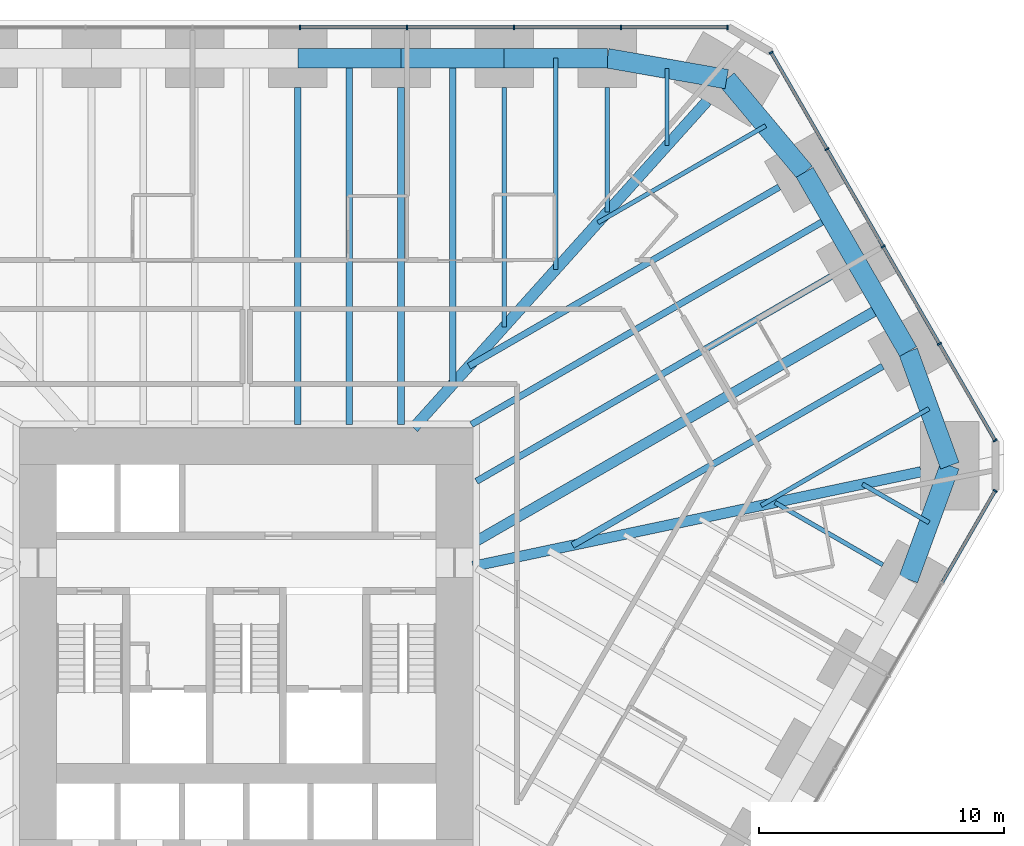
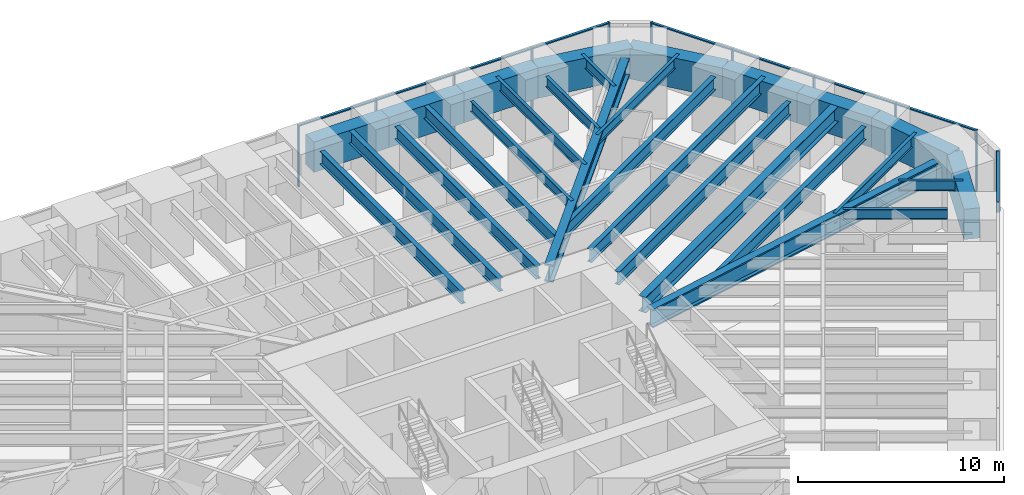
# One storey, part 9 of 17: 28 beams, 20 members, 3 elements without a shape of their own.
"""IFC4 building model written with IfcOpenShell, lengths in metres."""

from ifc_helpers import new_model, si_unit, direction, frame, origin, origin_2d, place, context, subcontext, project, spatial, rectangle, i_section, extrude, material, material_profile, profile_set, type_object, element, aggregate, save


model = new_model("IFC4")

# Units and contexts
model_context = context("Model", 3, precision=1e-05, world=origin(), true_north=direction((0.0, 1.0)))
body_context = subcontext(model_context, "Body", "Model", "MODEL_VIEW")
ifc_project = project(units=[si_unit("LENGTHUNIT", "METRE"), si_unit("AREAUNIT", "SQUARE_METRE"), si_unit("VOLUMEUNIT", "CUBIC_METRE"), si_unit("PLANEANGLEUNIT", "RADIAN"), si_unit("MASSUNIT", "GRAM", prefix="KILO")], contexts=[model_context])

# Site, building, storey
site_placement = place(None, origin())
site = spatial("IfcSite", under=ifc_project, at=site_placement, CompositionType="ELEMENT")
building_placement = place(site_placement, origin())
building = spatial("IfcBuilding", under=site, at=building_placement, Name="Sandreach Pilgrim Tower", CompositionType="ELEMENT")
storey_placement = place(building_placement, frame((0.0, 0.0, 34.39990234375)))
storey = spatial("IfcBuildingStorey", under=building, at=storey_placement, Name="L07", CompositionType="ELEMENT", Elevation=34.39990234375)

# Curtain wall, members
ifc_material_1 = material(Name="Aluminium framed curtain wall", Category="aluminium")
curtain_wall_type = type_object("IfcCurtainWallType", Name="Hostel tower curtain wall", PredefinedType="NOTDEFINED", material=ifc_material_1)
curtain_wall_1_placement = place(storey_placement, origin())
curtain_wall_1 = element("IfcCurtainWall", 1, at=curtain_wall_1_placement, inside=storey, type_object=curtain_wall_type, Name="CW-1 L07 N", PredefinedType="NOTDEFINED")
ifc_material_2 = material(Name="Aluminium extrusion", Category="aluminium")
ifc_material_profile_1 = material_profile(ifc_material_2, rectangle(XDim=0.06494140625, YDim=0.179931640625, at=origin_2d()), Name="CW-1M 65X180")
ifc_profile_set_1 = profile_set([ifc_material_profile_1], Name="Aluminium extrusion")
member_type_1 = type_object("IfcMemberType", Name="CW-1 mullion", PredefinedType="MULLION", material=ifc_profile_set_1)
member_1_placement = place(storey_placement, frame((2.185791015625, 23.94873046875, 0.0), z_axis=(0.0, 0.0, 1.0), x_axis=(1.0, 0.0, 0.0)))
member_1 = element("IfcMember", 2, at=member_1_placement, type_object=member_type_1, Name="CW-1 mullion 6", PredefinedType="MULLION", context=body_context, shape_type="SweptSolid", body=[
    extrude(rectangle(XDim=0.06494140625, YDim=0.179931640625, at=origin_2d()), origin(), (0.0, 0.0, 1.0), 3.64013671875),
])
member_2_placement = place(storey_placement, frame((6.557373046875, 23.94873046875, 0.0), z_axis=(0.0, 0.0, 1.0), x_axis=(1.0, 0.0, 0.0)))
member_2 = element("IfcMember", 3, at=member_2_placement, type_object=member_type_1, Name="CW-1 mullion 7", PredefinedType="MULLION", context=body_context, shape_type="SweptSolid", body=[
    extrude(rectangle(XDim=0.06494140625, YDim=0.179931640625, at=origin_2d()), origin(), (0.0, 0.0, 1.0), 3.64013671875),
])
member_3_placement = place(storey_placement, frame((10.928955078125, 23.94873046875, 0.0), z_axis=(0.0, 0.0, 1.0), x_axis=(1.0, 0.0, 0.0)))
member_3 = element("IfcMember", 4, at=member_3_placement, type_object=member_type_1, Name="CW-1 mullion 8", PredefinedType="MULLION", context=body_context, shape_type="SweptSolid", body=[
    extrude(rectangle(XDim=0.06494140625, YDim=0.179931640625, at=origin_2d()), origin(), (0.0, 0.0, 1.0), 3.64013671875),
])
member_4_placement = place(storey_placement, frame((15.300537109375, 23.94873046875, 0.0), z_axis=(0.0, 0.0, 1.0), x_axis=(1.0, 0.0, 0.0)))
member_4 = element("IfcMember", 5, at=member_4_placement, type_object=member_type_1, Name="CW-1 mullion 9", PredefinedType="MULLION", context=body_context, shape_type="SweptSolid", body=[
    extrude(rectangle(XDim=0.06494140625, YDim=0.179931640625, at=origin_2d()), origin(), (0.0, 0.0, 1.0), 3.64013671875),
])
member_5_placement = place(storey_placement, frame((19.6396484375, 23.94873046875, 0.0), z_axis=(0.0, 0.0, 1.0), x_axis=(1.0, 0.0, 0.0)))
member_5 = element("IfcMember", 6, at=member_5_placement, type_object=member_type_1, Name="CW-1 mullion 10", PredefinedType="MULLION", context=body_context, shape_type="SweptSolid", body=[
    extrude(rectangle(XDim=0.06494140625, YDim=0.179931640625, at=origin_2d()), origin(), (0.0, 0.0, 1.0), 3.64013671875),
])

curtain_wall_2_placement = place(storey_placement, origin())
curtain_wall_2 = element("IfcCurtainWall", 7, at=curtain_wall_2_placement, inside=storey, type_object=curtain_wall_type, Name="CW-1 L07 NE", PredefinedType="NOTDEFINED")
member_6_placement = place(storey_placement, frame((21.42041015625, 22.920654296875, 0.0), z_axis=(0.0, 0.0, 1.0), x_axis=(0.5, -0.866025403784, 0.0)))
member_6 = element("IfcMember", 8, at=member_6_placement, type_object=member_type_1, Name="CW-1 mullion 1", PredefinedType="MULLION", context=body_context, shape_type="SweptSolid", body=[
    extrude(rectangle(XDim=0.06494140625, YDim=0.179931640625, at=origin_2d()), origin(), (0.0, 0.0, 1.0), 3.64013671875),
])
member_7_placement = place(storey_placement, frame((23.697265625, 18.97705078125, 0.0), z_axis=(0.0, 0.0, 1.0), x_axis=(0.5, -0.866025403784, 0.0)))
member_7 = element("IfcMember", 9, at=member_7_placement, type_object=member_type_1, Name="CW-1 mullion 2", PredefinedType="MULLION", context=body_context, shape_type="SweptSolid", body=[
    extrude(rectangle(XDim=0.06494140625, YDim=0.179931640625, at=origin_2d()), origin(), (0.0, 0.0, 1.0), 3.64013671875),
])
member_8_placement = place(storey_placement, frame((25.990234375, 15.00537109375, 0.0), z_axis=(0.0, 0.0, 1.0), x_axis=(0.5, -0.866025403784, 0.0)))
member_8 = element("IfcMember", 10, at=member_8_placement, type_object=member_type_1, Name="CW-1 mullion 3", PredefinedType="MULLION", context=body_context, shape_type="SweptSolid", body=[
    extrude(rectangle(XDim=0.06494140625, YDim=0.179931640625, at=origin_2d()), origin(), (0.0, 0.0, 1.0), 3.64013671875),
])
member_9_placement = place(storey_placement, frame((28.283203125, 11.03369140625, 0.0), z_axis=(0.0, 0.0, 1.0), x_axis=(0.5, -0.866025403784, 0.0)))
member_9 = element("IfcMember", 11, at=member_9_placement, type_object=member_type_1, Name="CW-1 mullion 4", PredefinedType="MULLION", context=body_context, shape_type="SweptSolid", body=[
    extrude(rectangle(XDim=0.06494140625, YDim=0.179931640625, at=origin_2d()), origin(), (0.0, 0.0, 1.0), 3.64013671875),
])
member_10_placement = place(storey_placement, frame((30.56005859375, 7.09033203125, 0.0), z_axis=(0.0, 0.0, 1.0), x_axis=(0.5, -0.866025403784, 0.0)))
member_10 = element("IfcMember", 12, at=member_10_placement, type_object=member_type_1, Name="CW-1 mullion 5", PredefinedType="MULLION", context=body_context, shape_type="SweptSolid", body=[
    extrude(rectangle(XDim=0.06494140625, YDim=0.179931640625, at=origin_2d()), origin(), (0.0, 0.0, 1.0), 3.64013671875),
])

# Curtain wall, member
curtain_wall_3_placement = place(storey_placement, origin())
curtain_wall_3 = element("IfcCurtainWall", 13, at=curtain_wall_3_placement, inside=storey, type_object=curtain_wall_type, Name="CW-1 L07 SE", PredefinedType="NOTDEFINED")
member_11_placement = place(storey_placement, frame((30.56005859375, 5.033935546875, 0.0), z_axis=(0.0, 0.0, 1.0), x_axis=(-0.5, -0.866025403784, 0.0)))
member_11 = element("IfcMember", 14, at=member_11_placement, type_object=member_type_1, Name="CW-1 mullion 1", PredefinedType="MULLION", context=body_context, shape_type="SweptSolid", body=[
    extrude(rectangle(XDim=0.06494140625, YDim=0.179931640625, at=origin_2d()), origin(), (0.0, 0.0, 1.0), 3.64013671875),
])

# Member
ifc_material_3 = material(Name="Aluminium extrusion", Category="aluminium")
ifc_material_profile_2 = material_profile(ifc_material_3, rectangle(XDim=0.139892578125, YDim=0.070068359375, at=origin_2d()), Name="CW-1T 140X70")
ifc_profile_set_2 = profile_set([ifc_material_profile_2], Name="Aluminium extrusion")
member_type_2 = type_object("IfcMemberType", Name="CW-1 transom", PredefinedType="USERDEFINED", material=ifc_profile_set_2)
member_12_placement = place(storey_placement, frame((2.21826171875, 23.94873046875, 3.60498046875), z_axis=(1.0, 0.0, 0.0), x_axis=(0.0, 1.0, 0.0)))
member_12 = element("IfcMember", 15, at=member_12_placement, type_object=member_type_2, Name="CW-1 head transom 6", ObjectType="TRANSOM", PredefinedType="USERDEFINED", context=body_context, shape_type="SweptSolid", body=[
    extrude(rectangle(XDim=0.139892578125, YDim=0.070068359375, at=origin_2d()), origin(), (0.0, 0.0, 1.0), 4.306640625),
])

member_13_placement = place(storey_placement, frame((6.58984375, 23.94873046875, 3.60498046875), z_axis=(1.0, 0.0, 0.0), x_axis=(0.0, 1.0, 0.0)))
member_13 = element("IfcMember", 16, at=member_13_placement, type_object=member_type_2, Name="CW-1 head transom 7", ObjectType="TRANSOM", PredefinedType="USERDEFINED", context=body_context, shape_type="SweptSolid", body=[
    extrude(rectangle(XDim=0.139892578125, YDim=0.070068359375, at=origin_2d()), origin(), (0.0, 0.0, 1.0), 4.306640625),
])

member_14_placement = place(storey_placement, frame((10.96142578125, 23.94873046875, 3.60498046875), z_axis=(1.0, 0.0, 0.0), x_axis=(0.0, 1.0, 0.0)))
member_14 = element("IfcMember", 17, at=member_14_placement, type_object=member_type_2, Name="CW-1 head transom 8", ObjectType="TRANSOM", PredefinedType="USERDEFINED", context=body_context, shape_type="SweptSolid", body=[
    extrude(rectangle(XDim=0.139892578125, YDim=0.070068359375, at=origin_2d()), origin(), (0.0, 0.0, 1.0), 4.306640625),
])

member_15_placement = place(storey_placement, frame((15.3330078125, 23.94873046875, 3.60498046875), z_axis=(1.0, 0.0, 0.0), x_axis=(0.0, 1.0, 0.0)))
member_15 = element("IfcMember", 18, at=member_15_placement, type_object=member_type_2, Name="CW-1 head transom 9", ObjectType="TRANSOM", PredefinedType="USERDEFINED", context=body_context, shape_type="SweptSolid", body=[
    extrude(rectangle(XDim=0.139892578125, YDim=0.070068359375, at=origin_2d()), origin(), (0.0, 0.0, 1.0), 4.274169921875),
])

aggregate(curtain_wall_1, [member_1, member_2, member_3, member_4, member_5, member_12, member_13, member_14, member_15])

member_16_placement = place(storey_placement, frame((21.4365234375, 22.892333984375, 3.60498046875), z_axis=(0.500017500808, -0.866015299452, 0.0), x_axis=(0.866015299452, 0.500017500808, 0.0)))
member_16 = element("IfcMember", 19, at=member_16_placement, type_object=member_type_2, Name="CW-1 head transom 1", ObjectType="TRANSOM", PredefinedType="USERDEFINED", context=body_context, shape_type="SweptSolid", body=[
    extrude(rectangle(XDim=0.139892578125, YDim=0.070068359375, at=origin_2d()), origin(), (0.0, 0.0, 1.0), 4.488525390625),
])

member_17_placement = place(storey_placement, frame((23.71337890625, 18.948974609375, 3.60498046875), z_axis=(0.500001366228, -0.866024614991, 0.0), x_axis=(0.866024614991, 0.500001366228, 0.0)))
member_17 = element("IfcMember", 20, at=member_17_placement, type_object=member_type_2, Name="CW-1 head transom 2", ObjectType="TRANSOM", PredefinedType="USERDEFINED", context=body_context, shape_type="SweptSolid", body=[
    extrude(rectangle(XDim=0.139892578125, YDim=0.070068359375, at=origin_2d()), origin(), (0.0, 0.0, 1.0), 4.52099609375),
])

member_18_placement = place(storey_placement, frame((26.00634765625, 14.977294921875, 3.60498046875), z_axis=(0.500001366228, -0.866024614991, 0.0), x_axis=(0.866024614991, 0.500001366228, 0.0)))
member_18 = element("IfcMember", 21, at=member_18_placement, type_object=member_type_2, Name="CW-1 head transom 3", ObjectType="TRANSOM", PredefinedType="USERDEFINED", context=body_context, shape_type="SweptSolid", body=[
    extrude(rectangle(XDim=0.139892578125, YDim=0.070068359375, at=origin_2d()), origin(), (0.0, 0.0, 1.0), 4.52099609375),
])

member_19_placement = place(storey_placement, frame((28.299560546875, 11.005615234375, 3.60498046875), z_axis=(0.499976706761, -0.866038851724, 0.0), x_axis=(0.866038851724, 0.499976706761, 0.0)))
member_19 = element("IfcMember", 22, at=member_19_placement, type_object=member_type_2, Name="CW-1 head transom 4", ObjectType="TRANSOM", PredefinedType="USERDEFINED", context=body_context, shape_type="SweptSolid", body=[
    extrude(rectangle(XDim=0.139892578125, YDim=0.070068359375, at=origin_2d()), origin(), (0.0, 0.0, 1.0), 4.488525390625),
])

aggregate(curtain_wall_2, [member_6, member_7, member_8, member_9, member_10, member_16, member_17, member_18, member_19])

member_20_placement = place(storey_placement, frame((30.543701171875, 5.005859375, 3.60498046875), z_axis=(-0.499991113271, -0.866030534479, 0.0), x_axis=(0.866030534479, -0.499991113271, 0.0)))
member_20 = element("IfcMember", 23, at=member_20_placement, type_object=member_type_2, Name="CW-1 head transom 1", ObjectType="TRANSOM", PredefinedType="USERDEFINED", context=body_context, shape_type="SweptSolid", body=[
    extrude(rectangle(XDim=0.139892578125, YDim=0.070068359375, at=origin_2d()), origin(), (0.0, 0.0, 1.0), 4.27392578125),
])

aggregate(curtain_wall_3, [member_11, member_20])

# Beams
ifc_material_4 = material(Name="Steel ASTM A992 Grade 50", Category="steel")
ifc_material_profile_3 = material_profile(ifc_material_4, i_section(OverallWidth=0.447021484375, OverallDepth=1.0439453125, WebThickness=0.050048828125, FlangeThickness=0.08984375, at=origin_2d()), Name="W36X652")
ifc_profile_set_3 = profile_set([ifc_material_profile_3], Name="Steel ASTM A992 Grade 50")
beam_type_1 = type_object("IfcBeamType", Name="Corner girder W36X652", PredefinedType="BEAM", material=ifc_profile_set_3)
beam_1_placement = place(storey_placement, frame((18.8046875, 20.94189453125, 3.1181640625), z_axis=(-0.668127834846, -0.74404650144, 0.0), x_axis=(0.74404650144, -0.668127834846, 0.0)))
element("IfcBeam", 24, at=beam_1_placement, inside=storey, type_object=beam_type_1, Name="BM L07 CG09", PredefinedType="BEAM", context=body_context, shape_type="SweptSolid", body=[
    extrude(i_section(OverallWidth=0.447021484375, OverallDepth=1.0439453125, WebThickness=0.050048828125, FlangeThickness=0.08984375, at=origin_2d()), origin(), (0.0, 0.0, 1.0), 17.931396484375),
])
ifc_material_5 = material(Name="Steel ASTM A992 Grade 50", Category="steel")
ifc_material_profile_4 = material_profile(ifc_material_5, i_section(OverallWidth=0.424072265625, OverallDepth=1.09228515625, WebThickness=0.04541015625, FlangeThickness=0.08203125, at=origin_2d()), Name="W40X593")
ifc_profile_set_4 = profile_set([ifc_material_profile_4], Name="Steel ASTM A992 Grade 50")
beam_type_2 = type_object("IfcBeamType", Name="Corner girder W40X593", PredefinedType="BEAM", material=ifc_profile_set_4)
beam_2_placement = place(storey_placement, frame((27.53857421875, 5.814208984375, 3.093994140625), z_axis=(-0.978429884383, -0.206579189045, 0.0), x_axis=(0.206579189045, -0.978429884383, 0.0)))
element("IfcBeam", 25, at=beam_2_placement, inside=storey, type_object=beam_type_2, Name="BM L07 CG13", PredefinedType="BEAM", context=body_context, shape_type="SweptSolid", body=[
    extrude(i_section(OverallWidth=0.424072265625, OverallDepth=1.09228515625, WebThickness=0.04541015625, FlangeThickness=0.08203125, at=origin_2d()), origin(), (0.0, 0.0, 1.0), 18.691650390625),
])
ifc_material_6 = material(Name="Steel ASTM A992 Grade 50", Category="steel")
ifc_material_profile_5 = material_profile(ifc_material_6, i_section(OverallWidth=0.1787109375, OverallDepth=0.60205078125, WebThickness=0.010986328125, FlangeThickness=0.014892578125, at=origin_2d()), Name="W24X62")
ifc_profile_set_5 = profile_set([ifc_material_profile_5], Name="Steel ASTM A992 Grade 50")
beam_type_3 = type_object("IfcBeamType", Name="Floor beam W24X62", PredefinedType="BEAM", material=ifc_profile_set_5)
beam_3_placement = place(storey_placement, frame((10.52490234375, 21.48876953125, 3.339111328125), z_axis=(0.0, -1.0, 0.0), x_axis=(1.0, 0.0, 0.0)))
element("IfcBeam", 26, at=beam_3_placement, inside=storey, type_object=beam_type_3, Name="BM L07 F07", PredefinedType="BEAM", context=body_context, shape_type="SweptSolid", body=[
    extrude(i_section(OverallWidth=0.1787109375, OverallDepth=0.60205078125, WebThickness=0.010986328125, FlangeThickness=0.014892578125, at=origin_2d()), origin(), (0.0, 0.0, 1.0), 9.767822265625),
])
beam_4_placement = place(storey_placement, frame((14.734619140625, 21.48876953125, 3.339111328125), z_axis=(0.0, -1.0, 0.0), x_axis=(1.0, 0.0, 0.0)))
element("IfcBeam", 27, at=beam_4_placement, inside=storey, type_object=beam_type_3, Name="BM L07 F08", PredefinedType="BEAM", context=body_context, shape_type="SweptSolid", body=[
    extrude(i_section(OverallWidth=0.1787109375, OverallDepth=0.60205078125, WebThickness=0.010986328125, FlangeThickness=0.014892578125, at=origin_2d()), origin(), (0.0, 0.0, 1.0), 5.079345703125),
])
beam_5_placement = place(storey_placement, frame((25.97705078125, 2.016357421875, 3.339111328125), z_axis=(-0.866027897259, 0.49999568115, 0.0), x_axis=(-0.49999568115, -0.866027897259, 0.0)))
element("IfcBeam", 28, at=beam_5_placement, inside=storey, type_object=beam_type_3, Name="BM L07 F14", PredefinedType="BEAM", context=body_context, shape_type="SweptSolid", body=[
    extrude(i_section(OverallWidth=0.1787109375, OverallDepth=0.60205078125, WebThickness=0.010986328125, FlangeThickness=0.014892578125, at=origin_2d()), origin(), (0.0, 0.0, 1.0), 5.0791015625),
])
beam_6_placement = place(storey_placement, frame((12.629638671875, 22.688720703125, 3.339111328125), z_axis=(0.0, -1.0, 0.0), x_axis=(1.0, 0.0, 0.0)))
element("IfcBeam", 29, at=beam_6_placement, inside=storey, type_object=beam_type_3, Name="BM L07 FM07", PredefinedType="BEAM", context=body_context, shape_type="SweptSolid", body=[
    extrude(i_section(OverallWidth=0.1787109375, OverallDepth=0.60205078125, WebThickness=0.010986328125, FlangeThickness=0.014892578125, at=origin_2d()), origin(), (0.0, 0.0, 1.0), 8.62353515625),
])
beam_7_placement = place(storey_placement, frame((17.17041015625, 22.26171875, 3.339111328125), z_axis=(0.0, -1.0, 0.0), x_axis=(1.0, 0.0, 0.0)))
element("IfcBeam", 30, at=beam_7_placement, inside=storey, type_object=beam_type_3, Name="BM L07 FM08", PredefinedType="BEAM", context=body_context, shape_type="SweptSolid", body=[
    extrude(i_section(OverallWidth=0.1787109375, OverallDepth=0.60205078125, WebThickness=0.010986328125, FlangeThickness=0.014892578125, at=origin_2d()), origin(), (0.0, 0.0, 1.0), 3.1396484375),
])
for number, where, z_axis, x_axis, name in (
    (31, (21.197021484375, 19.933349609375, 3.339111328125), (-0.866028778003, -0.499994155636, 0.0), (0.499994155636, -0.866028778003, 0.0), "BM L07 FM09"),
    (32, (27.861328125, 8.390380859375, 3.339111328125), (-0.866028778003, -0.499994155636, 0.0), (0.499994155636, -0.866028778003, 0.0), "BM L07 FM12"),
):
    element("IfcBeam", number, at=place(storey_placement, frame(where, z_axis=z_axis, x_axis=x_axis)), inside=storey, type_object=beam_type_3, Name=name, PredefinedType="BEAM", context=body_context, shape_type="SweptSolid", body=[
        extrude(i_section(OverallWidth=0.1787109375, OverallDepth=0.60205078125, WebThickness=0.010986328125, FlangeThickness=0.014892578125, at=origin_2d()), origin(), (0.0, 0.0, 1.0), 7.90771484375),
    ])
beam_8_placement = place(storey_placement, frame((27.864501953125, 3.7392578125, 3.339111328125), z_axis=(-0.866023718453, 0.500002919068, 0.0), x_axis=(-0.500002919068, -0.866023718453, 0.0)))
element("IfcBeam", 33, at=beam_8_placement, inside=storey, type_object=beam_type_3, Name="BM L07 FM13", PredefinedType="BEAM", context=body_context, shape_type="SweptSolid", body=[
    extrude(i_section(OverallWidth=0.1787109375, OverallDepth=0.60205078125, WebThickness=0.010986328125, FlangeThickness=0.014892578125, at=origin_2d()), origin(), (0.0, 0.0, 1.0), 3.1396484375),
])
ifc_material_7 = material(Name="Steel ASTM A992 Grade 50", Category="steel")
ifc_material_profile_6 = material_profile(ifc_material_7, i_section(OverallWidth=0.2666015625, OverallDepth=0.761962890625, WebThickness=0.014404296875, FlangeThickness=0.021484375, at=origin_2d()), Name="W30X116")
ifc_profile_set_6 = profile_set([ifc_material_profile_6], Name="Steel ASTM A992 Grade 50")
beam_type_4 = type_object("IfcBeamType", Name="Floor beam W30X116", PredefinedType="BEAM", material=ifc_profile_set_6)
for number, where, z_axis, x_axis, name in (
    (34, (2.10498046875, 21.48876953125, 3.259033203125), (0.0, -1.0, 0.0), (1.0, 0.0, 0.0), "BM L07 F05"),
    (35, (6.31494140625, 21.48876953125, 3.259033203125), (0.0, -1.0, 0.0), (1.0, 0.0, 0.0), "BM L07 F06"),
):
    element("IfcBeam", number, at=place(storey_placement, frame(where, z_axis=z_axis, x_axis=x_axis)), inside=storey, type_object=beam_type_4, Name=name, PredefinedType="BEAM", context=body_context, shape_type="SweptSolid", body=[
        extrude(i_section(OverallWidth=0.2666015625, OverallDepth=0.761962890625, WebThickness=0.014404296875, FlangeThickness=0.021484375, at=origin_2d()), origin(), (0.0, 0.0, 1.0), 13.745361328125),
    ])
for number, where, z_axis, x_axis, name in (
    (36, (21.74853515625, 17.43212890625, 3.259033203125), (-0.866020355572, -0.500008743658, 0.0), (0.500008743658, -0.866020355572, 0.0), "BM L07 F10"),
    (37, (25.970947265625, 10.118896484375, 3.259033203125), (-0.866020355572, -0.500008743658, 0.0), (0.500008743658, -0.866020355572, 0.0), "BM L07 F12"),
):
    element("IfcBeam", number, at=place(storey_placement, frame(where, z_axis=z_axis, x_axis=x_axis)), inside=storey, type_object=beam_type_4, Name=name, PredefinedType="BEAM", context=body_context, shape_type="SweptSolid", body=[
        extrude(i_section(OverallWidth=0.2666015625, OverallDepth=0.761962890625, WebThickness=0.014404296875, FlangeThickness=0.021484375, at=origin_2d()), origin(), (0.0, 0.0, 1.0), 14.615966796875),
    ])
beam_9_placement = place(storey_placement, frame((4.2099609375, 22.688720703125, 3.259033203125), z_axis=(0.0, -1.0, 0.0), x_axis=(1.0, 0.0, 0.0)))
element("IfcBeam", 38, at=beam_9_placement, inside=storey, type_object=beam_type_4, Name="BM L07 FM05", PredefinedType="BEAM", context=body_context, shape_type="SweptSolid", body=[
    extrude(i_section(OverallWidth=0.2666015625, OverallDepth=0.761962890625, WebThickness=0.014404296875, FlangeThickness=0.021484375, at=origin_2d()), origin(), (0.0, 0.0, 1.0), 14.9453125),
])
beam_10_placement = place(storey_placement, frame((8.419921875, 22.688720703125, 3.259033203125), z_axis=(0.0, -1.0, 0.0), x_axis=(1.0, 0.0, 0.0)))
element("IfcBeam", 39, at=beam_10_placement, inside=storey, type_object=beam_type_4, Name="BM L07 FM06", PredefinedType="BEAM", context=body_context, shape_type="SweptSolid", body=[
    extrude(i_section(OverallWidth=0.2666015625, OverallDepth=0.761962890625, WebThickness=0.014404296875, FlangeThickness=0.021484375, at=origin_2d()), origin(), (0.0, 0.0, 1.0), 13.311767578125),
])
ifc_material_8 = material(Name="Steel ASTM A992 Grade 50", Category="steel")
ifc_material_profile_7 = material_profile(ifc_material_8, i_section(OverallWidth=0.2666015625, OverallDepth=0.77978515625, WebThickness=0.0166015625, FlangeThickness=0.030029296875, at=origin_2d()), Name="W30X148")
ifc_profile_set_7 = profile_set([ifc_material_profile_7], Name="Steel ASTM A992 Grade 50")
beam_type_5 = type_object("IfcBeamType", Name="Floor beam W30X148", PredefinedType="BEAM", material=ifc_profile_set_7)
beam_11_placement = place(storey_placement, frame((23.85986328125, 13.775390625, 3.250244140625), z_axis=(-0.866031037473, -0.499990242038, 0.0), x_axis=(0.499990242038, -0.866031037473, 0.0)))
element("IfcBeam", 40, at=beam_11_placement, inside=storey, type_object=beam_type_5, Name="BM L07 F11", PredefinedType="BEAM", context=body_context, shape_type="SweptSolid", body=[
    extrude(i_section(OverallWidth=0.2666015625, OverallDepth=0.77978515625, WebThickness=0.0166015625, FlangeThickness=0.030029296875, at=origin_2d()), origin(), (0.0, 0.0, 1.0), 16.704345703125),
])
beam_12_placement = place(storey_placement, frame((23.843505859375, 16.203857421875, 3.250244140625), z_axis=(-0.866027248123, -0.499996805499, 0.0), x_axis=(0.499996805499, -0.866027248123, 0.0)))
element("IfcBeam", 41, at=beam_12_placement, inside=storey, type_object=beam_type_5, Name="BM L07 FM10", PredefinedType="BEAM", context=body_context, shape_type="SweptSolid", body=[
    extrude(i_section(OverallWidth=0.2666015625, OverallDepth=0.77978515625, WebThickness=0.0166015625, FlangeThickness=0.030029296875, at=origin_2d()), origin(), (0.0, 0.0, 1.0), 16.9208984375),
])
ifc_material_9 = material(Name="Steel ASTM A992 Grade 50", Category="steel")
ifc_material_profile_8 = material_profile(ifc_material_9, i_section(OverallWidth=0.419189453125, OverallDepth=0.927001953125, WebThickness=0.019287109375, FlangeThickness=0.031982421875, at=origin_2d()), Name="W36X231")
ifc_profile_set_8 = profile_set([ifc_material_profile_8], Name="Steel ASTM A992 Grade 50")
beam_type_6 = type_object("IfcBeamType", Name="Floor beam W36X231", PredefinedType="BEAM", material=ifc_profile_set_8)
beam_13_placement = place(storey_placement, frame((25.95458984375, 12.547119140625, 3.176513671875), z_axis=(-0.866028474707, -0.499994680968, 0.0), x_axis=(0.499994680968, -0.866028474707, 0.0)))
element("IfcBeam", 42, at=beam_13_placement, inside=storey, type_object=beam_type_6, Name="BM L07 FM11", PredefinedType="BEAM", context=body_context, shape_type="SweptSolid", body=[
    extrude(i_section(OverallWidth=0.419189453125, OverallDepth=0.927001953125, WebThickness=0.019287109375, FlangeThickness=0.031982421875, at=origin_2d()), origin(), (0.0, 0.0, 1.0), 19.123291015625),
])
ifc_material_10 = material(Name="Concrete 10000 psi", Category="concrete")
ifc_material_profile_9 = material_profile(ifc_material_10, rectangle(XDim=0.800048828125, YDim=1.800048828125, at=origin_2d()), Name="RC800X1800")
ifc_profile_set_9 = profile_set([ifc_material_profile_9], Name="Concrete 10000 psi")
beam_type_7 = type_object("IfcBeamType", Name="Spandrel beam RC800X1800", PredefinedType="SPANDREL", material=ifc_profile_set_9)
for number, where, z_axis, x_axis, name in (
    (43, (2.10498046875, 22.688720703125, 2.739990234375), (1.0, 0.0, 0.0), (0.0, 1.0, 0.0), "BM L07 SP05"),
    (44, (6.31494140625, 22.688720703125, 2.739990234375), (1.0, 0.0, 0.0), (0.0, 1.0, 0.0), "BM L07 SP06"),
):
    element("IfcBeam", number, at=place(storey_placement, frame(where, z_axis=z_axis, x_axis=x_axis)), inside=storey, type_object=beam_type_7, Name=name, PredefinedType="SPANDREL", context=body_context, shape_type="SweptSolid", body=[
        extrude(rectangle(XDim=0.800048828125, YDim=1.800048828125, at=origin_2d()), origin(), (0.0, 0.0, 1.0), 4.2099609375),
    ])
beam_14_placement = place(storey_placement, frame((10.52490234375, 22.688720703125, 2.739990234375), z_axis=(1.0, 0.0, 0.0), x_axis=(0.0, 1.0, 0.0)))
element("IfcBeam", 45, at=beam_14_placement, inside=storey, type_object=beam_type_7, Name="BM L07 SP07", PredefinedType="SPANDREL", context=body_context, shape_type="SweptSolid", body=[
    extrude(rectangle(XDim=0.800048828125, YDim=1.800048828125, at=origin_2d()), origin(), (0.0, 0.0, 1.0), 4.209716796875),
])
beam_15_placement = place(storey_placement, frame((14.734619140625, 22.688720703125, 2.739990234375), z_axis=(0.984981186582, -0.172661698355, 0.0), x_axis=(0.172661698355, 0.984981186582, 0.0)))
element("IfcBeam", 46, at=beam_15_placement, inside=storey, type_object=beam_type_7, Name="BM L07 SP08", PredefinedType="SPANDREL", context=body_context, shape_type="SweptSolid", body=[
    extrude(rectangle(XDim=0.800048828125, YDim=1.800048828125, at=origin_2d()), origin(), (0.0, 0.0, 1.0), 4.946044921875),
])
beam_16_placement = place(storey_placement, frame((19.6064453125, 21.834716796875, 2.739990234375), z_axis=(0.641665295114, -0.766984777584, 0.0), x_axis=(0.766984777584, 0.641665295114, 0.0)))
element("IfcBeam", 47, at=beam_16_placement, inside=storey, type_object=beam_type_7, Name="BM L07 SP09", PredefinedType="SPANDREL", context=body_context, shape_type="SweptSolid", body=[
    extrude(rectangle(XDim=0.800048828125, YDim=1.800048828125, at=origin_2d()), origin(), (0.0, 0.0, 1.0), 4.9580078125),
])
beam_17_placement = place(storey_placement, frame((22.787841796875, 18.031982421875, 2.739990234375), z_axis=(0.500001084989, -0.866024777365, 0.0), x_axis=(0.866024777365, 0.500001084989, 0.0)))
element("IfcBeam", 48, at=beam_17_placement, inside=storey, type_object=beam_type_7, Name="BM L07 SP10", PredefinedType="SPANDREL", context=body_context, shape_type="SweptSolid", body=[
    extrude(rectangle(XDim=0.800048828125, YDim=1.800048828125, at=origin_2d()), origin(), (0.0, 0.0, 1.0), 4.22216796875),
])
beam_18_placement = place(storey_placement, frame((24.89892578125, 14.37548828125, 2.739990234375), z_axis=(0.500019412692, -0.866014195571, 0.0), x_axis=(0.866014195571, 0.500019412692, 0.0)))
element("IfcBeam", 49, at=beam_18_placement, inside=storey, type_object=beam_type_7, Name="BM L07 SP11", PredefinedType="SPANDREL", context=body_context, shape_type="SweptSolid", body=[
    extrude(rectangle(XDim=0.800048828125, YDim=1.800048828125, at=origin_2d()), origin(), (0.0, 0.0, 1.0), 4.222412109375),
])
beam_19_placement = place(storey_placement, frame((27.01025390625, 10.71875, 2.739990234375), z_axis=(0.343367552823, -0.939201109278, 0.0), x_axis=(0.939201109278, 0.343367552823, 0.0)))
element("IfcBeam", 50, at=beam_19_placement, inside=storey, type_object=beam_type_7, Name="BM L07 SP12", PredefinedType="SPANDREL", context=body_context, shape_type="SweptSolid", body=[
    extrude(rectangle(XDim=0.800048828125, YDim=1.800048828125, at=origin_2d()), origin(), (0.0, 0.0, 1.0), 4.9580078125),
])
beam_20_placement = place(storey_placement, frame((28.712646484375, 6.062255859375, 2.739990234375), z_axis=(-0.342963480301, -0.939348737786, 0.0), x_axis=(0.939348737786, -0.342963480301, 0.0)))
element("IfcBeam", 51, at=beam_20_placement, inside=storey, type_object=beam_type_7, Name="BM L07 SP13", PredefinedType="SPANDREL", context=body_context, shape_type="SweptSolid", body=[
    extrude(rectangle(XDim=0.800048828125, YDim=1.800048828125, at=origin_2d()), origin(), (0.0, 0.0, 1.0), 4.946044921875),
])

save(model, "model.ifc")
